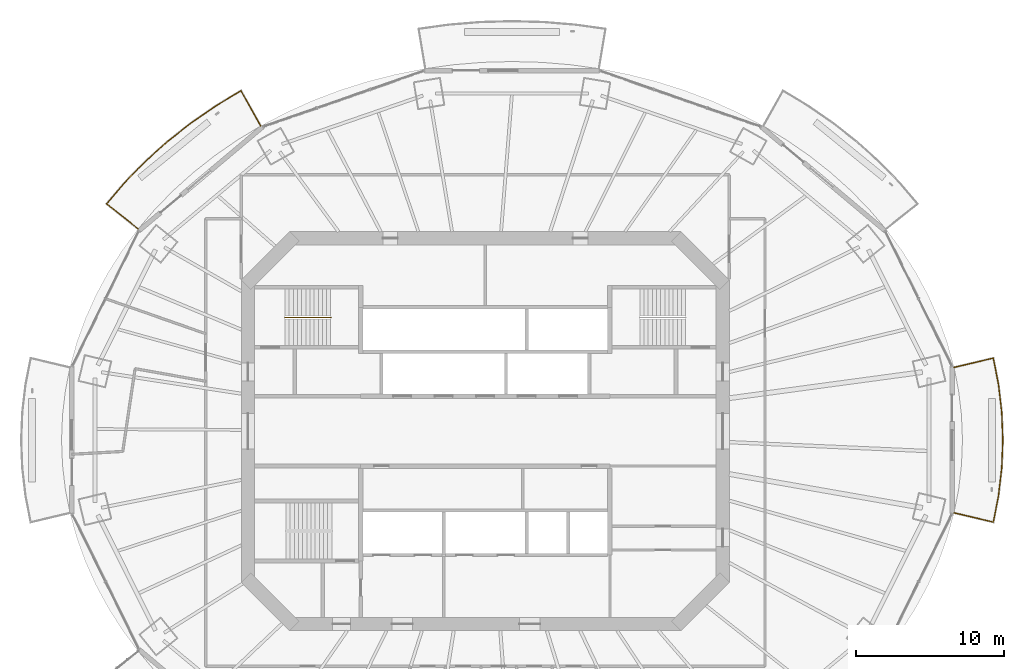
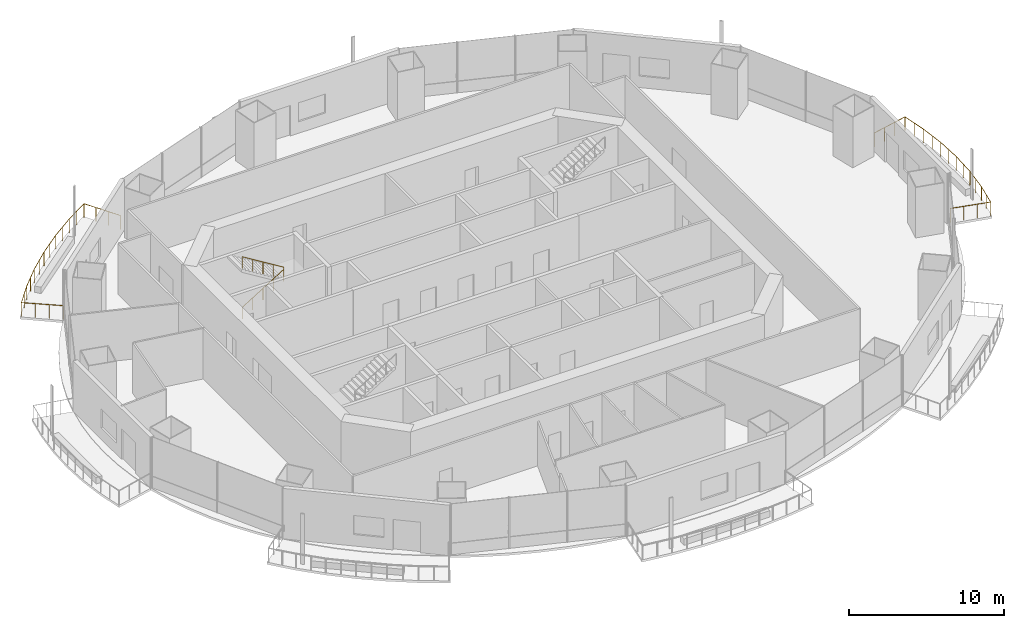
# One storey, part 16 of 19: 3 railings.
"""IFC4 building model written with IfcOpenShell, lengths in metres."""

from ifc_helpers import new_model, si_unit, direction, frame, origin, origin_2d, place, context, subcontext, project, spatial, circle, extrude, material, type_object, element, save


model = new_model("IFC4")

# Units and contexts
model_context = context("Model", 3, precision=1e-05, world=origin(), true_north=direction((0.0, 1.0)))
body_context = subcontext(model_context, "Body", "Model", "MODEL_VIEW")
ifc_project = project(units=[si_unit("LENGTHUNIT", "METRE"), si_unit("AREAUNIT", "SQUARE_METRE"), si_unit("VOLUMEUNIT", "CUBIC_METRE"), si_unit("PLANEANGLEUNIT", "RADIAN"), si_unit("MASSUNIT", "GRAM", prefix="KILO")], contexts=[model_context])

# Site, building, storey
site_placement = place(None, origin())
site = spatial("IfcSite", under=ifc_project, at=site_placement, CompositionType="ELEMENT")
building_placement = place(site_placement, origin())
building = spatial("IfcBuilding", under=site, at=building_placement, Name="Marenthal Gate Tower", CompositionType="ELEMENT")
storey_placement = place(building_placement, frame((0.0, 0.0, 244.050048828125)))
storey = spatial("IfcBuildingStorey", under=building, at=storey_placement, Name="L54", CompositionType="ELEMENT", Elevation=244.050048828125)

# Railings
ifc_material_1 = material(Name="Stainless steel", Category="steel")
railing_type_1 = type_object("IfcRailingType", Name="Balcony guard 1100", PredefinedType="GUARDRAIL", material=ifc_material_1)
railing_1_placement = place(storey_placement, frame((-23.397705078125, 13.64013671875, 0.0)))
element("IfcRailing", 1, at=railing_1_placement, inside=storey, type_object=railing_type_1, Name="Balcony guard L54 bay 6", PredefinedType="GUARDRAIL", context=body_context, shape_type="SweptSolid", body=[
    extrude(circle(Radius=0.02392578125, at=origin_2d()), frame((0.0, 0.0, 1.076171875), z_axis=(-0.782933460254, 0.62193132503, -0.014718143911), x_axis=(-0.621998698528, -0.783018275029, 0.0)), (0.0, 0.0, 1.0), 2.720458984375),
    extrude(circle(Radius=0.02392578125, at=origin_2d()), frame((-2.1298828125, 1.69189453125, 1.0361328125), z_axis=(0.649843765812, 0.760067812787, 0.0), x_axis=(-0.760067812787, 0.649843765812, 0.0)), (0.0, 0.0, 1.0), 1.889404296875),
    extrude(circle(Radius=0.02392578125, at=origin_2d()), frame((-0.902099609375, 3.1279296875, 1.0361328125), z_axis=(0.698634154887, 0.715479082591, 0.0), x_axis=(-0.715479082591, 0.698634154887, 0.0)), (0.0, 0.0, 1.0), 1.985595703125),
    extrude(circle(Radius=0.02392578125, at=origin_2d()), frame((0.485107421875, 4.548583984375, 1.0361328125), z_axis=(0.74429356056, 0.667852600286, 0.0), x_axis=(-0.667852600286, 0.74429356056, 0.0)), (0.0, 0.0, 1.0), 2.00244140625),
    extrude(circle(Radius=0.02392578125, at=origin_2d()), frame((1.9755859375, 5.885986328125, 1.0361328125), z_axis=(0.785705367394, 0.618600901752, 0.0), x_axis=(-0.618600901752, 0.785705367394, 0.0)), (0.0, 0.0, 1.0), 2.01904296875),
    extrude(circle(Radius=0.02392578125, at=origin_2d()), frame((3.56201171875, 7.135009765625, 1.0361328125), z_axis=(0.823162524927, 0.567805827335, 0.0), x_axis=(-0.567805827335, 0.823162524927, 0.0)), (0.0, 0.0, 1.0), 2.035400390625),
    extrude(circle(Radius=0.02392578125, at=origin_2d()), frame((5.237548828125, 8.290771484375, 1.0361328125), z_axis=(0.85600344742, 0.516970113262, 0.0), x_axis=(-0.516970113262, 0.85600344742, 0.0)), (0.0, 0.0, 1.0), 1.9716796875),
    extrude(circle(Radius=0.02392578125, at=origin_2d()), frame((6.92529296875, 9.31005859375, 1.0361328125), z_axis=(0.489935400912, -0.871634477681, 0.014718704112), x_axis=(0.87172890858, 0.489988479401, 0.0)), (0.0, 0.0, 1.0), 2.72021484375),
    extrude(circle(Radius=0.02099609375, at=origin_2d()), origin(), (0.0, 0.0, 1.0), 1.052001953125),
    extrude(circle(Radius=0.02099609375, at=origin_2d()), frame((-0.7099609375, 0.56396484375, -0.013427734375)), (0.0, 0.0, 1.0), 1.052001953125),
    extrude(circle(Radius=0.02099609375, at=origin_2d()), frame((-1.419921875, 1.1279296875, -0.026611328125)), (0.0, 0.0, 1.0), 1.052001953125),
    extrude(circle(Radius=0.02099609375, at=origin_2d()), frame((-2.1298828125, 1.69189453125, -0.0400390625)), (0.0, 0.0, 1.0), 1.052001953125),
    extrude(circle(Radius=0.02099609375, at=origin_2d()), frame((-1.51611328125, 2.409912109375, -0.0400390625)), (0.0, 0.0, 1.0), 1.052001953125),
    extrude(circle(Radius=0.02099609375, at=origin_2d()), frame((-0.902099609375, 3.1279296875, -0.0400390625)), (0.0, 0.0, 1.0), 1.052001953125),
    extrude(circle(Radius=0.02099609375, at=origin_2d()), frame((-0.20849609375, 3.83837890625, -0.0400390625)), (0.0, 0.0, 1.0), 1.052001953125),
    extrude(circle(Radius=0.02099609375, at=origin_2d()), frame((0.485107421875, 4.548583984375, -0.0400390625)), (0.0, 0.0, 1.0), 1.052001953125),
    extrude(circle(Radius=0.02099609375, at=origin_2d()), frame((1.23046875, 5.21728515625, -0.0400390625)), (0.0, 0.0, 1.0), 1.052001953125),
    extrude(circle(Radius=0.02099609375, at=origin_2d()), frame((1.9755859375, 5.885986328125, -0.0400390625)), (0.0, 0.0, 1.0), 1.052001953125),
    extrude(circle(Radius=0.02099609375, at=origin_2d()), frame((2.768798828125, 6.510498046875, -0.0400390625)), (0.0, 0.0, 1.0), 1.052001953125),
    extrude(circle(Radius=0.02099609375, at=origin_2d()), frame((3.56201171875, 7.135009765625, -0.0400390625)), (0.0, 0.0, 1.0), 1.052001953125),
    extrude(circle(Radius=0.02099609375, at=origin_2d()), frame((4.39990234375, 7.712890625, -0.0400390625)), (0.0, 0.0, 1.0), 1.052001953125),
    extrude(circle(Radius=0.02099609375, at=origin_2d()), frame((5.237548828125, 8.290771484375, -0.0400390625)), (0.0, 0.0, 1.0), 1.052001953125),
    extrude(circle(Radius=0.02099609375, at=origin_2d()), frame((6.08154296875, 8.80029296875, -0.0400390625)), (0.0, 0.0, 1.0), 1.052001953125),
    extrude(circle(Radius=0.02099609375, at=origin_2d()), frame((6.92529296875, 9.31005859375, -0.0400390625)), (0.0, 0.0, 1.0), 1.052001953125),
    extrude(circle(Radius=0.02099609375, at=origin_2d()), frame((7.36962890625, 8.519775390625, -0.026611328125)), (0.0, 0.0, 1.0), 1.052001953125),
    extrude(circle(Radius=0.02099609375, at=origin_2d()), frame((7.813720703125, 7.729248046875, -0.013427734375)), (0.0, 0.0, 1.0), 1.052001953125),
    extrude(circle(Radius=0.02099609375, at=origin_2d()), frame((8.258056640625, 6.93896484375, 0.0)), (0.0, 0.0, 1.0), 1.052001953125),
])
railing_2_placement = place(storey_placement, frame((31.599853515625, 4.300537109375, 0.0)))
element("IfcRailing", 2, at=railing_2_placement, inside=storey, type_object=railing_type_1, Name="Balcony guard L54 bay 16", PredefinedType="GUARDRAIL", context=body_context, shape_type="SweptSolid", body=[
    extrude(circle(Radius=0.02392578125, at=origin_2d()), frame((0.0, 0.0, 1.076171875), z_axis=(0.973052153091, 0.230114897669, -0.014718737604), x_axis=(-0.230139827907, 0.97315757183, 0.0)), (0.0, 0.0, 1.0), 2.72021484375),
    extrude(circle(Radius=0.02392578125, at=origin_2d()), frame((2.64697265625, 0.6259765625, 1.0361328125), z_axis=(0.191155100965, -0.981559844011, 0.0), x_axis=(0.981559844011, 0.191155100965, 0.0)), (0.0, 0.0, 1.0), 1.80859375),
    extrude(circle(Radius=0.02392578125, at=origin_2d()), frame((2.99267578125, -1.149169921875, 1.0361328125), z_axis=(0.116375051579, -0.993205339983, 0.0), x_axis=(0.993205339983, 0.116375051579, 0.0)), (0.0, 0.0, 1.0), 1.8837890625),
    extrude(circle(Radius=0.02392578125, at=origin_2d()), frame((3.2119140625, -3.020263671875, 1.0361328125), z_axis=(0.038921407749, -0.999242274936, 0.0), x_axis=(0.999242274936, 0.038921407749, 0.0)), (0.0, 0.0, 1.0), 1.8818359375),
    extrude(circle(Radius=0.02392578125, at=origin_2d()), frame((3.28515625, -4.900634765625, 1.0361328125), z_axis=(-0.038926454163, -0.999242078361, 0.0), x_axis=(0.999242078361, -0.038926454163, 0.0)), (0.0, 0.0, 1.0), 1.881591796875),
    extrude(circle(Radius=0.02392578125, at=origin_2d()), frame((3.2119140625, -6.78076171875, 1.0361328125), z_axis=(-0.116360074506, -0.99320709475, 0.0), x_axis=(0.99320709475, -0.116360074506, 0.0)), (0.0, 0.0, 1.0), 1.884033203125),
    extrude(circle(Radius=0.02392578125, at=origin_2d()), frame((2.99267578125, -8.652099609375, 1.0361328125), z_axis=(-0.191180433682, -0.98155491022, 0.0), x_axis=(0.98155491022, -0.191180433682, 0.0)), (0.0, 0.0, 1.0), 1.808349609375),
    extrude(circle(Radius=0.02392578125, at=origin_2d()), frame((2.64697265625, -10.427001953125, 1.0361328125), z_axis=(-0.973072245699, 0.230029899071, 0.014719041532), x_axis=(-0.23005482113, -0.97317767097, 0.0)), (0.0, 0.0, 1.0), 2.72021484375),
    extrude(circle(Radius=0.02099609375, at=origin_2d()), origin(), (0.0, 0.0, 1.0), 1.052001953125),
    extrude(circle(Radius=0.02099609375, at=origin_2d()), frame((0.88232421875, 0.208740234375, -0.013427734375)), (0.0, 0.0, 1.0), 1.052001953125),
    extrude(circle(Radius=0.02099609375, at=origin_2d()), frame((1.7646484375, 0.417236328125, -0.026611328125)), (0.0, 0.0, 1.0), 1.052001953125),
    extrude(circle(Radius=0.02099609375, at=origin_2d()), frame((2.64697265625, 0.6259765625, -0.0400390625)), (0.0, 0.0, 1.0), 1.052001953125),
    extrude(circle(Radius=0.02099609375, at=origin_2d()), frame((2.81982421875, -0.26171875, -0.0400390625)), (0.0, 0.0, 1.0), 1.052001953125),
    extrude(circle(Radius=0.02099609375, at=origin_2d()), frame((2.99267578125, -1.149169921875, -0.0400390625)), (0.0, 0.0, 1.0), 1.052001953125),
    extrude(circle(Radius=0.02099609375, at=origin_2d()), frame((3.102294921875, -2.084716796875, -0.0400390625)), (0.0, 0.0, 1.0), 1.052001953125),
    extrude(circle(Radius=0.02099609375, at=origin_2d()), frame((3.2119140625, -3.020263671875, -0.0400390625)), (0.0, 0.0, 1.0), 1.052001953125),
    extrude(circle(Radius=0.02099609375, at=origin_2d()), frame((3.24853515625, -3.96044921875, -0.0400390625)), (0.0, 0.0, 1.0), 1.052001953125),
    extrude(circle(Radius=0.02099609375, at=origin_2d()), frame((3.28515625, -4.900634765625, -0.0400390625)), (0.0, 0.0, 1.0), 1.052001953125),
    extrude(circle(Radius=0.02099609375, at=origin_2d()), frame((3.24853515625, -5.8408203125, -0.0400390625)), (0.0, 0.0, 1.0), 1.052001953125),
    extrude(circle(Radius=0.02099609375, at=origin_2d()), frame((3.2119140625, -6.78076171875, -0.0400390625)), (0.0, 0.0, 1.0), 1.052001953125),
    extrude(circle(Radius=0.02099609375, at=origin_2d()), frame((3.102294921875, -7.71630859375, -0.0400390625)), (0.0, 0.0, 1.0), 1.052001953125),
    extrude(circle(Radius=0.02099609375, at=origin_2d()), frame((2.99267578125, -8.652099609375, -0.0400390625)), (0.0, 0.0, 1.0), 1.052001953125),
    extrude(circle(Radius=0.02099609375, at=origin_2d()), frame((2.81982421875, -9.53955078125, -0.0400390625)), (0.0, 0.0, 1.0), 1.052001953125),
    extrude(circle(Radius=0.02099609375, at=origin_2d()), frame((2.64697265625, -10.427001953125, -0.0400390625)), (0.0, 0.0, 1.0), 1.052001953125),
    extrude(circle(Radius=0.02099609375, at=origin_2d()), frame((1.7646484375, -10.218505859375, -0.026611328125)), (0.0, 0.0, 1.0), 1.052001953125),
    extrude(circle(Radius=0.02099609375, at=origin_2d()), frame((0.88232421875, -10.009765625, -0.013427734375)), (0.0, 0.0, 1.0), 1.052001953125),
    extrude(circle(Radius=0.02099609375, at=origin_2d()), frame((0.0, -9.80126953125, 0.0)), (0.0, 0.0, 1.0), 1.052001953125),
])
ifc_material_2 = material(Name="Stainless steel", Category="steel")
railing_type_2 = type_object("IfcRailingType", Name="Stair handrail", PredefinedType="HANDRAIL", material=ifc_material_2)
railing_3_placement = place(storey_placement, frame((-13.5, 7.675048828125, 0.1728515625)))
element("IfcRailing", 3, at=railing_3_placement, inside=storey, type_object=railing_type_2, Name="Handrail ST1", PredefinedType="HANDRAIL", context=body_context, shape_type="SweptSolid", body=[
    extrude(circle(Radius=0.0224609375, at=origin_2d()), frame((0.0, 0.0, 0.927490234375), z_axis=(0.850835241893, 0.0, 0.525432575268), x_axis=(0.0, 1.0, 0.0)), (0.0, 0.0, 1.0), 3.6201171875),
    extrude(circle(Radius=0.0224609375, at=origin_2d()), frame((3.080078125, 0.0, 2.82958984375), z_axis=(0.0, 0.0, 1.0), x_axis=(1.0, 0.0, 0.0)), (0.0, 0.0, 1.0), 0.1728515625),
    extrude(circle(Radius=0.0224609375, at=origin_2d()), frame((3.080078125, 0.0, 3.00244140625), z_axis=(-0.850835241893, 0.0, 0.525432575268), x_axis=(0.0, -1.0, 0.0)), (0.0, 0.0, 1.0), 3.6201171875),
    extrude(circle(Radius=0.02001953125, at=origin_2d()), origin(), (0.0, 0.0, 1.0), 0.905029296875),
    extrude(circle(Radius=0.02001953125, at=origin_2d()), frame((0.77001953125, 0.0, 0.4755859375)), (0.0, 0.0, 1.0), 0.905029296875),
    extrude(circle(Radius=0.02001953125, at=origin_2d()), frame((1.5400390625, 0.0, 0.951171875)), (0.0, 0.0, 1.0), 0.905029296875),
    extrude(circle(Radius=0.02001953125, at=origin_2d()), frame((2.31005859375, 0.0, 1.426513671875)), (0.0, 0.0, 1.0), 0.905029296875),
    extrude(circle(Radius=0.02001953125, at=origin_2d()), frame((3.080078125, 0.0, 1.902099609375)), (0.0, 0.0, 1.0), 0.905029296875),
    extrude(circle(Radius=0.02001953125, at=origin_2d()), frame((3.080078125, 0.0, 2.074951171875)), (0.0, 0.0, 1.0), 0.905029296875),
    extrude(circle(Radius=0.02001953125, at=origin_2d()), frame((2.31005859375, 0.0, 2.550537109375)), (0.0, 0.0, 1.0), 0.905029296875),
    extrude(circle(Radius=0.02001953125, at=origin_2d()), frame((1.5400390625, 0.0, 3.02587890625)), (0.0, 0.0, 1.0), 0.905029296875),
    extrude(circle(Radius=0.02001953125, at=origin_2d()), frame((0.77001953125, 0.0, 3.50146484375)), (0.0, 0.0, 1.0), 0.905029296875),
    extrude(circle(Radius=0.02001953125, at=origin_2d()), frame((0.0, 0.0, 3.97705078125)), (0.0, 0.0, 1.0), 0.905029296875),
])

save(model, "model.ifc")
